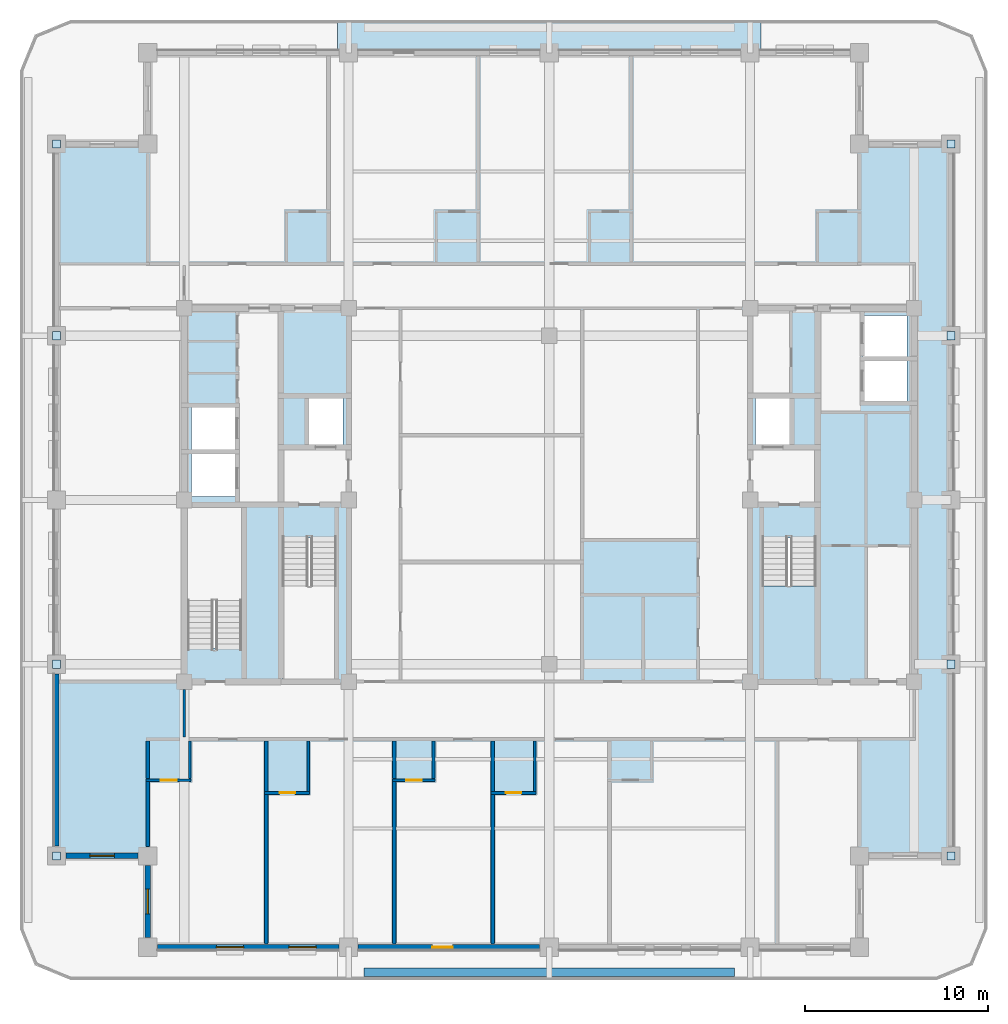
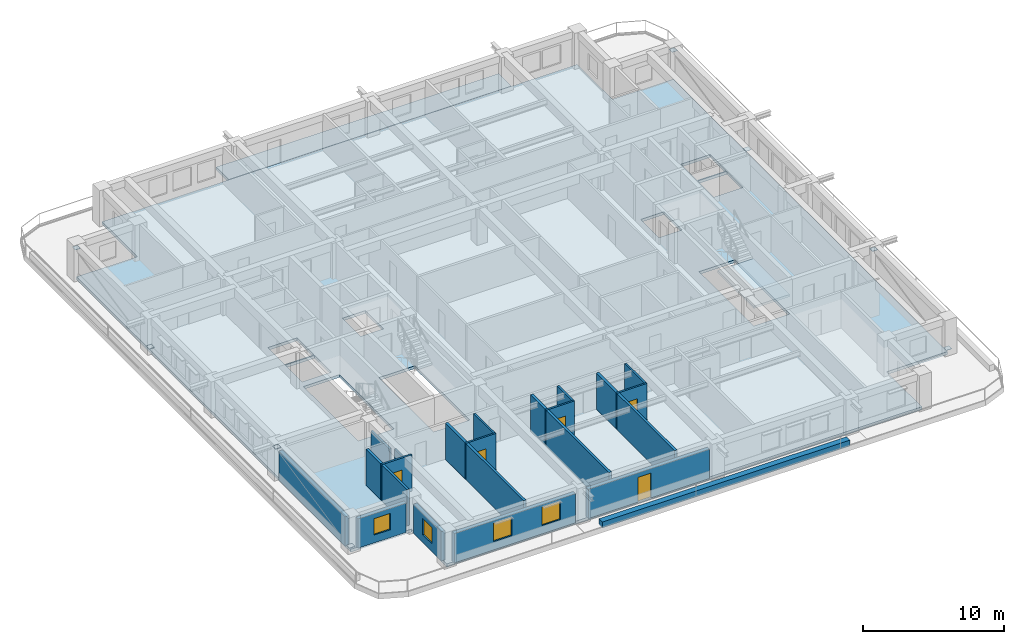
# One storey, part 2 of 15: 23 walls, 8 plates, 5 doors, 4 windows, 3 slabs, 9 openings, 1 element without a shape of its own.
"""IFC4 building model written with IfcOpenShell, lengths in metres."""

from ifc_helpers import new_model, si_unit, direction, frame, frame_2d, origin, origin_2d, place, context, subcontext, project, spatial, polyline, rectangle, outline, extrude, material, layer, layer_set, type_object, element, fill, aggregate, save


model = new_model("IFC4")

# Units and contexts
model_context = context("Model", 3, precision=1e-05, world=origin(), true_north=direction((0.0, 1.0)))
body_context = subcontext(model_context, "Body", "Model", "MODEL_VIEW")
ifc_project = project(units=[si_unit("LENGTHUNIT", "METRE"), si_unit("AREAUNIT", "SQUARE_METRE"), si_unit("VOLUMEUNIT", "CUBIC_METRE"), si_unit("PLANEANGLEUNIT", "RADIAN"), si_unit("MASSUNIT", "GRAM", prefix="KILO")], contexts=[model_context])

# Site, building, storey
site_placement = place(None, origin())
site = spatial("IfcSite", under=ifc_project, at=site_placement, CompositionType="ELEMENT")
building_placement = place(site_placement, origin())
building = spatial("IfcBuilding", under=site, at=building_placement, Name="Zulmaris Gate Convention Tower", CompositionType="ELEMENT")
storey_placement = place(building_placement, frame((0.0, 0.0, 201.659912109375)))
storey = spatial("IfcBuildingStorey", under=building, at=storey_placement, Name="L52", CompositionType="ELEMENT", Elevation=201.659912109375)

# Plates
ifc_material_1 = material(Name="Steel S460", Category="steel")
ifc_layer_1 = layer(ifc_material_1, 0.02490234375, Name="Steel S460")
ifc_layer_set_1 = layer_set([ifc_layer_1], Name="Steel S460")
plate_type = type_object("IfcPlateType", Name="NP-CAP-440", PredefinedType="USERDEFINED", material=ifc_layer_set_1)
for number, where, z_axis, x_axis, name in (
    (1, (-27.0, -19.5, 0.28759765625), (0.0, 0.0, 1.0), (1.0, 0.0, 0.0), "L52 Steel Node Plate PBR-L52-SW-W-CAP"),
    (2, (-27.0, -9.0, 2.517822265625), (0.0, 0.0, 1.0), (1.0, 0.0, 0.0), "L52 Steel Node Plate PBR-L52-SW-W-CAPB"),
    (3, (-27.0, 9.0, 0.28759765625), (0.0, 0.0, 1.0), (1.0, 0.0, 0.0), "L52 Steel Node Plate PBR-L52-NW-W-CAP"),
    (4, (-27.0, 19.5, 2.517822265625), (0.0, 0.0, 1.0), (1.0, 0.0, 0.0), "L52 Steel Node Plate PBR-L52-NW-W-CAPB"),
    (5, (22.0, -19.5, 0.28759765625), (0.0, 0.0, 1.0), (1.0, 0.0, 0.0), "L52 Steel Node Plate PBR-L52-SE-E-CAP"),
    (6, (22.0, -9.0, 2.517822265625), (0.0, 0.0, 1.0), (1.0, 0.0, 0.0), "L52 Steel Node Plate PBR-L52-SE-E-CAPB"),
    (7, (22.0, 9.0, 0.28759765625), (0.0, 0.0, 1.0), (1.0, 0.0, 0.0), "L52 Steel Node Plate PBR-L52-NE-E-CAP"),
    (8, (22.0, 19.5, 2.517822265625), (0.0, 0.0, 1.0), (1.0, 0.0, 0.0), "L52 Steel Node Plate PBR-L52-NE-E-CAPB"),
):
    element("IfcPlate", number, at=place(storey_placement, frame(where, z_axis=z_axis, x_axis=x_axis)), inside=storey, type_object=plate_type, Name=name, ObjectType="FLANGE PLATE", PredefinedType="USERDEFINED", context=body_context, shape_type="SweptSolid", body=[
        extrude(rectangle(XDim=0.43994140625, YDim=0.43994140625, at=origin_2d()), origin(), (0.0, 0.0, 1.0), 0.02490234375),
    ])

# Slabs
ifc_material_2 = material(Name="Precast concrete C50/60", Category="concrete")
ifc_layer_2 = layer(ifc_material_2, 0.260009765625, Name="Precast concrete C50/60")
ifc_layer_set_2 = layer_set([ifc_layer_2], Name="Precast concrete C50/60")
slab_type_1 = type_object("IfcSlabType", Name="SL-BAL-260", PredefinedType="FLOOR", material=ifc_layer_set_2)
slab_1_placement = place(storey_placement, frame((0.0, 0.0, -0.25)))
element("IfcSlab", 9, at=slab_1_placement, inside=storey, type_object=slab_type_1, Name="L52 North Tree-Balcony Planter Slab", PredefinedType="FLOOR", context=body_context, shape_type="SweptSolid", body=[
    extrude(outline(polyline([(11.597900390625, 26.300048828125), (11.597900390625, 24.5), (-11.597900390625, 24.5), (-11.597900390625, 26.300048828125), (11.597900390625, 26.300048828125)])), origin(), (0.0, 0.0, 1.0), 0.260009765625),
])
ifc_material_3 = material(Name="Concrete C50/60", Category="concrete")
ifc_layer_3 = layer(ifc_material_3, 0.25, Name="Concrete C50/60")
ifc_layer_set_3 = layer_set([ifc_layer_3], Name="Concrete C50/60")
slab_type_2 = type_object("IfcSlabType", Name="SL-FLR-250", PredefinedType="FLOOR", material=ifc_layer_set_3)
slab_2_placement = place(storey_placement, frame((0.0, 0.0, -0.25)))
element("IfcSlab", 10, at=slab_2_placement, inside=storey, type_object=slab_type_2, Name="L52 Shifted Notched-Square Structural Floor Slab", PredefinedType="FLOOR", context=body_context, shape_type="SweptSolid", body=[
    extrude(outline(polyline([(-22.0, -24.5), (17.0, -24.5), (17.0, -19.5), (22.0, -19.5), (22.0, 19.5), (17.0, 19.5), (17.0, 24.5), (-22.0, 24.5), (-22.0, 19.5), (-27.0, 19.5), (-27.0, -19.5), (-22.0, -19.5), (-22.0, -24.5)]), holes=[polyline([(-14.6201171875, -2.080078125), (-14.6201171875, -9.85009765625), (-11.659912109375, -9.85009765625), (-11.659912109375, -2.080078125), (-14.6201171875, -2.080078125)]), polyline([(11.659912109375, -2.080078125), (11.659912109375, -9.85009765625), (14.6201171875, -9.85009765625), (14.6201171875, -2.080078125), (11.659912109375, -2.080078125)]), polyline([(-16.860107421875, -8.1201171875), (-16.860107421875, -0.35009765625), (-19.820068359375, -0.35009765625), (-19.820068359375, -8.1201171875), (-16.860107421875, -8.1201171875)]), polyline([(-13.199951171875, 3.0), (-11.300048828125, 3.0), (-11.300048828125, 5.60009765625), (-13.199951171875, 5.60009765625), (-13.199951171875, 3.0)]), polyline([(11.300048828125, 3.0), (13.199951171875, 3.0), (13.199951171875, 5.60009765625), (11.300048828125, 5.60009765625), (11.300048828125, 3.0)]), polyline([(17.199951171875, 5.39990234375), (19.60009765625, 5.39990234375), (19.60009765625, 7.699951171875), (17.199951171875, 7.699951171875), (17.199951171875, 5.39990234375)]), polyline([(17.199951171875, 7.800048828125), (19.60009765625, 7.800048828125), (19.60009765625, 10.10009765625), (17.199951171875, 10.10009765625), (17.199951171875, 7.800048828125)]), polyline([(-19.60009765625, 0.199951171875), (-17.199951171875, 0.199951171875), (-17.199951171875, 2.60009765625), (-19.60009765625, 2.60009765625), (-19.60009765625, 0.199951171875)]), polyline([(-19.60009765625, 2.699951171875), (-17.199951171875, 2.699951171875), (-17.199951171875, 5.10009765625), (-19.60009765625, 5.10009765625), (-19.60009765625, 2.699951171875)])]), origin(), (0.0, 0.0, 1.0), 0.25),
])

# Stair, slab
ifc_material_4 = material(Name="Concrete C45/55", Category="concrete")
stair_type = type_object("IfcStairType", Name="ST-CORE-DOGLEG", PredefinedType="HALF_TURN_STAIR", material=ifc_material_4)
stair_placement = place(storey_placement, origin())
stair = element("IfcStair", 11, at=stair_placement, inside=storey, type_object=stair_type, Name="L52 Core Exit Stair ST-2", PredefinedType="HALF_TURN_STAIR")
ifc_layer_4 = layer(ifc_material_4, 0.199951171875, Name="Concrete C45/55")
ifc_layer_set_4 = layer_set([ifc_layer_4], Name="Concrete C45/55")
slab_type_3 = type_object("IfcSlabType", Name="SL-LND-200", PredefinedType="LANDING", material=ifc_layer_set_4)
slab_3_placement = place(storey_placement, frame((0.0, 0.0, 1.5)))
slab_3 = element("IfcSlab", 12, at=slab_3_placement, type_object=slab_type_3, Name="ST-2 landing 1", PredefinedType="LANDING", context=body_context, shape_type="SweptSolid", body=[
    extrude(outline(polyline([(11.659912109375, -4.699951171875), (11.659912109375, -9.85009765625), (14.6201171875, -9.85009765625), (14.6201171875, -4.699951171875), (11.659912109375, -4.699951171875)])), origin(), (0.0, 0.0, 1.0), 0.2001953125),
])
aggregate(stair, [slab_3])

# Wall, opening, door
ifc_material_5 = material(Name="Gypsum Metal Stud Partition")
ifc_layer_5 = layer(ifc_material_5, 0.14990234375, Name="Gypsum Metal Stud Partition")
ifc_layer_set_5 = layer_set([ifc_layer_5], Name="Gypsum Metal Stud Partition")
wall_type_1 = type_object("IfcWallType", Name="PART-150", PredefinedType="PARTITIONING", material=ifc_layer_set_5)
wall_1_placement = place(storey_placement, frame((-15.60009765625, -16.050048828125, 0.0), z_axis=(0.0, 0.0, 1.0), x_axis=(1.0, 0.0, 0.0)))
wall_1 = element("IfcWall", 13, at=wall_1_placement, inside=storey, type_object=wall_type_1, Name="WL-L52-019", PredefinedType="PARTITIONING", context=body_context, shape_type="SweptSolid", body=[
    extrude(rectangle(XDim=2.47509765625, YDim=0.14990234375, at=frame_2d((1.237548828125, 0.0))), origin(), (0.0, 0.0, 1.0), 3.150146484375),
])
opening_1_placement = place(wall_1_placement, frame((0.824951171875, 0.0, 0.0)))
opening_1 = element("IfcOpeningElement", 14, at=opening_1_placement, cuts=wall_1, Name="Opening D-17", PredefinedType="OPENING", context=body_context, shape_type="SweptSolid", body=[
    extrude(rectangle(XDim=0.85009765625, YDim=2.10009765625, at=frame_2d((0.425048828125, 1.050048828125))), frame((0.0, 0.0849609375, 0.0), z_axis=(0.0, -1.0, 0.0), x_axis=(1.0, 0.0, 0.0)), (0.0, 0.0, 1.0), 0.169921875),
])
ifc_material_6 = material(Name="Moisture-Resistant Hardwood Timber", Category="wood")
door_type_1 = type_object("IfcDoorType", Name="DR-850", OperationType="NOTDEFINED", PredefinedType="DOOR", material=ifc_material_6)
door_1_placement = place(opening_1_placement, origin())
door_1 = element("IfcDoor", 15, at=door_1_placement, inside=storey, type_object=door_type_1, Name="L52 En-Suite Door 39", OperationType="SINGLE_SWING_LEFT", OverallHeight=2.10009765625, OverallWidth=0.85009765625, PredefinedType="DOOR", context=body_context, shape_type="SweptSolid", body=[
    extrude(rectangle(XDim=0.85009765625, YDim=2.10009765625, at=frame_2d((0.425048828125, 1.050048828125))), frame((0.0, 0.02490234375, 0.0), z_axis=(0.0, -1.0, 0.0), x_axis=(1.0, 0.0, 0.0)), (0.0, 0.0, 1.0), 0.050048828125),
])
fill(opening_1, door_1)

wall_2_placement = place(storey_placement, frame((-3.199951171875, -16.050048828125, 0.0), z_axis=(0.0, 0.0, 1.0), x_axis=(1.0, 0.0, 0.0)))
wall_2 = element("IfcWall", 16, at=wall_2_placement, inside=storey, type_object=wall_type_1, Name="WL-L52-020", PredefinedType="PARTITIONING", context=body_context, shape_type="SweptSolid", body=[
    extrude(rectangle(XDim=2.474853515625, YDim=0.14990234375, at=frame_2d((1.2373046875, 0.0))), origin(), (0.0, 0.0, 1.0), 3.150146484375),
])
opening_2_placement = place(wall_2_placement, frame((0.824951171875, 0.0, 0.0)))
opening_2 = element("IfcOpeningElement", 17, at=opening_2_placement, cuts=wall_2, Name="Opening D-17", PredefinedType="OPENING", context=body_context, shape_type="SweptSolid", body=[
    extrude(rectangle(XDim=0.85009765625, YDim=2.10009765625, at=frame_2d((0.425048828125, 1.050048828125))), frame((0.0, 0.0849609375, 0.0), z_axis=(0.0, -1.0, 0.0), x_axis=(1.0, 0.0, 0.0)), (0.0, 0.0, 1.0), 0.169921875),
])
door_2_placement = place(opening_2_placement, origin())
door_2 = element("IfcDoor", 18, at=door_2_placement, inside=storey, type_object=door_type_1, Name="L52 En-Suite Door 43", OperationType="SINGLE_SWING_LEFT", OverallHeight=2.10009765625, OverallWidth=0.85009765625, PredefinedType="DOOR", context=body_context, shape_type="SweptSolid", body=[
    extrude(rectangle(XDim=0.85009765625, YDim=2.10009765625, at=frame_2d((0.425048828125, 1.050048828125))), frame((0.0, 0.02490234375, 0.0), z_axis=(0.0, -1.0, 0.0), x_axis=(1.0, 0.0, 0.0)), (0.0, 0.0, 1.0), 0.050048828125),
])
fill(opening_2, door_2)

wall_3_placement = place(storey_placement, frame((-22.10009765625, -15.35009765625, 0.0), z_axis=(0.0, 0.0, 1.0), x_axis=(1.0, 0.0, 0.0)))
wall_3 = element("IfcWall", 19, at=wall_3_placement, inside=storey, type_object=wall_type_1, Name="WL-L52-021", PredefinedType="PARTITIONING", context=body_context, shape_type="SweptSolid", body=[
    extrude(rectangle(XDim=2.47509765625, YDim=0.14990234375, at=frame_2d((1.237548828125, 0.0))), origin(), (0.0, 0.0, 1.0), 3.150146484375),
])
opening_3_placement = place(wall_3_placement, frame((0.824951171875, 0.0, 0.0)))
opening_3 = element("IfcOpeningElement", 20, at=opening_3_placement, cuts=wall_3, Name="Opening D-17", PredefinedType="OPENING", context=body_context, shape_type="SweptSolid", body=[
    extrude(rectangle(XDim=0.85009765625, YDim=2.10009765625, at=frame_2d((0.425048828125, 1.050048828125))), frame((0.0, 0.0849609375, 0.0), z_axis=(0.0, -1.0, 0.0), x_axis=(1.0, 0.0, 0.0)), (0.0, 0.0, 1.0), 0.169921875),
])
door_3_placement = place(opening_3_placement, origin())
door_3 = element("IfcDoor", 21, at=door_3_placement, inside=storey, type_object=door_type_1, Name="L52 En-Suite Door 37", OperationType="SINGLE_SWING_LEFT", OverallHeight=2.10009765625, OverallWidth=0.85009765625, PredefinedType="DOOR", context=body_context, shape_type="SweptSolid", body=[
    extrude(rectangle(XDim=0.85009765625, YDim=2.10009765625, at=frame_2d((0.425048828125, 1.050048828125))), frame((0.0, 0.02490234375, 0.0), z_axis=(0.0, -1.0, 0.0), x_axis=(1.0, 0.0, 0.0)), (0.0, 0.0, 1.0), 0.050048828125),
])
fill(opening_3, door_3)

wall_4_placement = place(storey_placement, frame((-8.60009765625, -15.35009765625, 0.0), z_axis=(0.0, 0.0, 1.0), x_axis=(1.0, 0.0, 0.0)))
wall_4 = element("IfcWall", 22, at=wall_4_placement, inside=storey, type_object=wall_type_1, Name="WL-L52-022", PredefinedType="PARTITIONING", context=body_context, shape_type="SweptSolid", body=[
    extrude(rectangle(XDim=2.335205078125, YDim=0.14990234375, at=frame_2d((1.16748046875, 0.0))), origin(), (0.0, 0.0, 1.0), 3.150146484375),
])
opening_4_placement = place(wall_4_placement, frame((0.7548828125, 0.0, 0.0)))
opening_4 = element("IfcOpeningElement", 23, at=opening_4_placement, cuts=wall_4, Name="Opening D-17", PredefinedType="OPENING", context=body_context, shape_type="SweptSolid", body=[
    extrude(rectangle(XDim=0.85009765625, YDim=2.10009765625, at=frame_2d((0.425048828125, 1.050048828125))), frame((0.0, 0.0849609375, 0.0), z_axis=(0.0, -1.0, 0.0), x_axis=(1.0, 0.0, 0.0)), (0.0, 0.0, 1.0), 0.169921875),
])
door_4_placement = place(opening_4_placement, origin())
door_4 = element("IfcDoor", 24, at=door_4_placement, inside=storey, type_object=door_type_1, Name="L52 En-Suite Door 41", OperationType="SINGLE_SWING_LEFT", OverallHeight=2.10009765625, OverallWidth=0.85009765625, PredefinedType="DOOR", context=body_context, shape_type="SweptSolid", body=[
    extrude(rectangle(XDim=0.85009765625, YDim=2.10009765625, at=frame_2d((0.425048828125, 1.050048828125))), frame((0.0, 0.02490234375, 0.0), z_axis=(0.0, -1.0, 0.0), x_axis=(1.0, 0.0, 0.0)), (0.0, 0.0, 1.0), 0.050048828125),
])
fill(opening_4, door_4)

# Walls
wall_5_placement = place(storey_placement, frame((-20.0, -12.9970703125, 0.0), z_axis=(0.0, 0.0, 1.0), x_axis=(0.0, 1.0, 0.0)))
element("IfcWall", 25, at=wall_5_placement, inside=storey, type_object=wall_type_1, Name="WL-L52-080", PredefinedType="PARTITIONING", context=body_context, shape_type="SweptSolid", body=[
    extrude(rectangle(XDim=2.615966796875, YDim=0.14990234375, at=frame_2d((1.30810546875, 0.0))), origin(), (0.0, 0.0, 1.0), 2.34228515625),
])
wall_6_placement = place(storey_placement, frame((-19.699951171875, -15.27197265625, 0.0), z_axis=(0.0, 0.0, 1.0), x_axis=(0.0, 1.0, 0.0)))
element("IfcWall", 26, at=wall_6_placement, inside=storey, type_object=wall_type_1, Name="WL-L52-082", PredefinedType="PARTITIONING", context=body_context, shape_type="SweptSolid", body=[
    extrude(rectangle(XDim=2.069091796875, YDim=0.14990234375, at=frame_2d((1.03466796875, 0.0))), origin(), (0.0, 0.0, 1.0), 2.34228515625),
])
wall_7_placement = place(storey_placement, frame((-13.199951171875, -15.971923828125, 0.0), z_axis=(0.0, 0.0, 1.0), x_axis=(0.0, 1.0, 0.0)))
element("IfcWall", 27, at=wall_7_placement, inside=storey, type_object=wall_type_1, Name="WL-L52-089", PredefinedType="PARTITIONING", context=body_context, shape_type="SweptSolid", body=[
    extrude(rectangle(XDim=2.76904296875, YDim=0.14990234375, at=frame_2d((1.384521484375, 0.0))), origin(), (0.0, 0.0, 1.0), 3.150146484375),
])
wall_8_placement = place(storey_placement, frame((-6.340087890625, -15.27197265625, 0.0), z_axis=(0.0, 0.0, 1.0), x_axis=(0.0, 1.0, 0.0)))
element("IfcWall", 28, at=wall_8_placement, inside=storey, type_object=wall_type_1, Name="WL-L52-097", PredefinedType="PARTITIONING", context=body_context, shape_type="SweptSolid", body=[
    extrude(rectangle(XDim=2.069091796875, YDim=0.14990234375, at=frame_2d((1.03466796875, 0.0))), origin(), (0.0, 0.0, 1.0), 3.150146484375),
])
wall_9_placement = place(storey_placement, frame((-0.800048828125, -15.971923828125, 0.0), z_axis=(0.0, 0.0, 1.0), x_axis=(0.0, 1.0, 0.0)))
element("IfcWall", 29, at=wall_9_placement, inside=storey, type_object=wall_type_1, Name="WL-L52-103", PredefinedType="PARTITIONING", context=body_context, shape_type="SweptSolid", body=[
    extrude(rectangle(XDim=2.76904296875, YDim=0.14990234375, at=frame_2d((1.384521484375, 0.0))), origin(), (0.0, 0.0, 1.0), 3.150146484375),
])
ifc_material_7 = material(Name="Autoclaved Aerated Concrete Block and Plasterboard", Category="concrete")
ifc_layer_6 = layer(ifc_material_7, 0.199951171875, Name="Autoclaved Aerated Concrete Block and Plasterboard")
ifc_layer_set_6 = layer_set([ifc_layer_6], Name="Autoclaved Aerated Concrete Block and Plasterboard")
wall_type_2 = type_object("IfcWallType", Name="PART-200", PredefinedType="PARTITIONING", material=ifc_layer_set_6)
wall_10_placement = place(storey_placement, frame((-22.0, -18.993896484375, 0.0), z_axis=(0.0, 0.0, 1.0), x_axis=(0.0, 1.0, 0.0)))
element("IfcWall", 30, at=wall_10_placement, inside=storey, type_object=wall_type_2, Name="WL-L52-077", PredefinedType="PARTITIONING", context=body_context, shape_type="SweptSolid", body=[
    extrude(rectangle(XDim=3.56591796875, YDim=0.199951171875, at=frame_2d((1.782958984375, 0.0))), origin(), (0.0, 0.0, 1.0), 3.150146484375),
])
wall_11_placement = place(storey_placement, frame((-22.0, -15.27197265625, 0.0), z_axis=(0.0, 0.0, 1.0), x_axis=(0.0, 1.0, 0.0)))
element("IfcWall", 31, at=wall_11_placement, inside=storey, type_object=wall_type_2, Name="WL-L52-078", PredefinedType="PARTITIONING", context=body_context, shape_type="SweptSolid", body=[
    extrude(rectangle(XDim=2.069091796875, YDim=0.199951171875, at=frame_2d((1.03466796875, 0.0))), origin(), (0.0, 0.0, 1.0), 3.150146484375),
])
wall_12_placement = place(storey_placement, frame((-15.5, -24.3349609375, 0.0), z_axis=(0.0, 0.0, 1.0), x_axis=(0.0, 1.0, 0.0)))
element("IfcWall", 32, at=wall_12_placement, inside=storey, type_object=wall_type_2, Name="WL-L52-086", PredefinedType="PARTITIONING", context=body_context, shape_type="SweptSolid", body=[
    extrude(rectangle(XDim=8.20703125, YDim=0.199951171875, at=frame_2d((4.103515625, 0.0))), origin(), (0.0, 0.0, 1.0), 3.150146484375),
])
wall_13_placement = place(storey_placement, frame((-15.5, -15.971923828125, 0.0), z_axis=(0.0, 0.0, 1.0), x_axis=(0.0, 1.0, 0.0)))
element("IfcWall", 33, at=wall_13_placement, inside=storey, type_object=wall_type_2, Name="WL-L52-087", PredefinedType="PARTITIONING", context=body_context, shape_type="SweptSolid", body=[
    extrude(rectangle(XDim=2.76904296875, YDim=0.199951171875, at=frame_2d((1.384521484375, 0.0))), origin(), (0.0, 0.0, 1.0), 3.150146484375),
])
wall_14_placement = place(storey_placement, frame((-8.5, -24.3349609375, 0.0), z_axis=(0.0, 0.0, 1.0), x_axis=(0.0, 1.0, 0.0)))
element("IfcWall", 34, at=wall_14_placement, inside=storey, type_object=wall_type_2, Name="WL-L52-092", PredefinedType="PARTITIONING", context=body_context, shape_type="SweptSolid", body=[
    extrude(rectangle(XDim=8.906982421875, YDim=0.199951171875, at=frame_2d((4.45361328125, 0.0))), origin(), (0.0, 0.0, 1.0), 3.150146484375),
])
wall_15_placement = place(storey_placement, frame((-8.5, -15.27197265625, 0.0), z_axis=(0.0, 0.0, 1.0), x_axis=(0.0, 1.0, 0.0)))
element("IfcWall", 35, at=wall_15_placement, inside=storey, type_object=wall_type_2, Name="WL-L52-093", PredefinedType="PARTITIONING", context=body_context, shape_type="SweptSolid", body=[
    extrude(rectangle(XDim=2.069091796875, YDim=0.199951171875, at=frame_2d((1.03466796875, 0.0))), origin(), (0.0, 0.0, 1.0), 3.150146484375),
])
wall_16_placement = place(storey_placement, frame((-3.10009765625, -24.3349609375, 0.0), z_axis=(0.0, 0.0, 1.0), x_axis=(0.0, 1.0, 0.0)))
element("IfcWall", 36, at=wall_16_placement, inside=storey, type_object=wall_type_2, Name="WL-L52-101", PredefinedType="PARTITIONING", context=body_context, shape_type="SweptSolid", body=[
    extrude(rectangle(XDim=8.20703125, YDim=0.199951171875, at=frame_2d((4.103515625, 0.0))), origin(), (0.0, 0.0, 1.0), 3.150146484375),
])
wall_17_placement = place(storey_placement, frame((-3.10009765625, -15.971923828125, 0.0), z_axis=(0.0, 0.0, 1.0), x_axis=(0.0, 1.0, 0.0)))
element("IfcWall", 37, at=wall_17_placement, inside=storey, type_object=wall_type_2, Name="WL-L52-102", PredefinedType="PARTITIONING", context=body_context, shape_type="SweptSolid", body=[
    extrude(rectangle(XDim=2.76904296875, YDim=0.199951171875, at=frame_2d((1.384521484375, 0.0))), origin(), (0.0, 0.0, 1.0), 3.150146484375),
])
ifc_material_8 = material(Name="Botanical Green Glazed Precast Concrete C40/50", Category="concrete")
ifc_layer_7 = layer(ifc_material_8, 0.419921875, Name="Botanical Green Glazed Precast Concrete C40/50")
ifc_layer_set_7 = layer_set([ifc_layer_7], Name="Botanical Green Glazed Precast Concrete C40/50")
wall_type_3 = type_object("IfcWallType", Name="PLANTER-CURB-200", PredefinedType="PARAPET", material=ifc_layer_set_7)
wall_18_placement = place(storey_placement, frame((-10.14990234375, -25.8798828125, -0.0400390625), z_axis=(0.0, 0.0, 1.0), x_axis=(1.0, 0.0, 0.0)))
element("IfcWall", 38, at=wall_18_placement, inside=storey, type_object=wall_type_3, Name="L52 Full-Length Balcony Tree Planter Trough", PredefinedType="PARAPET", context=body_context, shape_type="SweptSolid", body=[
    extrude(rectangle(XDim=20.2998046875, YDim=0.47998046875, at=frame_2d((10.14990234375, 0.0))), origin(), (0.0, 0.0, 1.0), 0.52001953125),
])

# Wall, opening, window
ifc_material_9 = material(Name="Precast concrete C40/50", Category="concrete")
ifc_layer_8 = layer(ifc_material_9, 0.300048828125, Name="Precast concrete C40/50")
ifc_layer_set_8 = layer_set([ifc_layer_8], Name="Precast concrete C40/50")
wall_type_4 = type_object("IfcWallType", Name="PRECAST-PIER-300", PredefinedType="STANDARD", material=ifc_layer_set_8)
wall_19_placement = place(storey_placement, frame((-26.469970703125, -19.5, 0.0), z_axis=(0.0, 0.0, 1.0), x_axis=(1.0, 0.0, 0.0)))
wall_19 = element("IfcWall", 39, at=wall_19_placement, inside=storey, type_object=wall_type_4, Name="EW-L52-NOTCH-SW1_0", PredefinedType="STANDARD", context=body_context, shape_type="SweptSolid", body=[
    extrude(rectangle(XDim=3.93994140625, YDim=0.300048828125, at=frame_2d((1.969970703125, 0.0))), origin(), (0.0, 0.0, 1.0), 2.542236328125),
])
opening_5_placement = place(wall_19_placement, frame((1.294921875, 0.0, 0.679931640625)))
opening_5 = element("IfcOpeningElement", 40, at=opening_5_placement, cuts=wall_19, Name="Opening W-10", PredefinedType="OPENING", context=body_context, shape_type="SweptSolid", body=[
    extrude(rectangle(XDim=1.35009765625, YDim=1.419921875, at=frame_2d((0.675048828125, 0.7099609375))), frame((0.0, 0.16015625, 0.0), z_axis=(0.0, -1.0, 0.0), x_axis=(1.0, 0.0, 0.0)), (0.0, 0.0, 1.0), 0.320068359375),
])
ifc_material_10 = material(Name="Low-E Laminated Double Glazing in Aluminium Frame", Category="aluminium")
window_type_1 = type_object("IfcWindowType", Name="WIN-1350x2000", PartitioningType="SINGLE_PANEL", PredefinedType="WINDOW", material=ifc_material_10)
window_1_placement = place(opening_5_placement, origin())
window_1 = element("IfcWindow", 41, at=window_1_placement, inside=storey, type_object=window_type_1, Name="WN-EW-L52-NOTCH-SW1_0", OverallHeight=1.419921875, OverallWidth=1.35009765625, PartitioningType="SINGLE_PANEL", PredefinedType="WINDOW", context=body_context, shape_type="SweptSolid", body=[
    extrude(rectangle(XDim=1.35009765625, YDim=1.419921875, at=frame_2d((0.675048828125, 0.7099609375))), frame((0.0, 0.030029296875, 0.0), z_axis=(0.0, -1.0, 0.0), x_axis=(1.0, 0.0, 0.0)), (0.0, 0.0, 1.0), 0.06005859375),
])
fill(opening_5, window_1)

wall_20_placement = place(storey_placement, frame((-22.0, -20.030029296875, 0.0), z_axis=(0.0, 0.0, 1.0), x_axis=(0.0, -1.0, 0.0)))
wall_20 = element("IfcWall", 42, at=wall_20_placement, inside=storey, type_object=wall_type_4, Name="EW-L52-NOTCH-SW2_0", PredefinedType="STANDARD", context=body_context, shape_type="SweptSolid", body=[
    extrude(rectangle(XDim=3.93994140625, YDim=0.300048828125, at=frame_2d((1.969970703125, 0.0))), origin(), (0.0, 0.0, 1.0), 2.542236328125),
])
opening_6_placement = place(wall_20_placement, frame((1.294921875, 0.0, 0.679931640625)))
opening_6 = element("IfcOpeningElement", 43, at=opening_6_placement, cuts=wall_20, Name="Opening W-10", PredefinedType="OPENING", context=body_context, shape_type="SweptSolid", body=[
    extrude(rectangle(XDim=1.35009765625, YDim=1.419921875, at=frame_2d((0.675048828125, 0.7099609375))), frame((0.0, 0.16015625, 0.0), z_axis=(0.0, -1.0, 0.0), x_axis=(1.0, 0.0, 0.0)), (0.0, 0.0, 1.0), 0.320068359375),
])
window_2_placement = place(opening_6_placement, origin())
window_2 = element("IfcWindow", 44, at=window_2_placement, inside=storey, type_object=window_type_1, Name="WN-EW-L52-NOTCH-SW2_0", OverallHeight=1.419921875, OverallWidth=1.35009765625, PartitioningType="SINGLE_PANEL", PredefinedType="WINDOW", context=body_context, shape_type="SweptSolid", body=[
    extrude(rectangle(XDim=1.35009765625, YDim=1.419921875, at=frame_2d((0.675048828125, 0.7099609375))), frame((0.0, 0.030029296875, 0.0), z_axis=(0.0, -1.0, 0.0), x_axis=(1.0, 0.0, 0.0)), (0.0, 0.0, 1.0), 0.06005859375),
])
fill(opening_6, window_2)

# Wall, openings, windows
wall_21_placement = place(storey_placement, frame((-21.469970703125, -24.5, 0.0), z_axis=(0.0, 0.0, 1.0), x_axis=(1.0, 0.0, 0.0)))
wall_21 = element("IfcWall", 45, at=wall_21_placement, inside=storey, type_object=wall_type_4, Name="EW-L52-S-0_0", PredefinedType="STANDARD", context=body_context, shape_type="SweptSolid", body=[
    extrude(rectangle(XDim=9.93994140625, YDim=0.300048828125, at=frame_2d((4.969970703125, 0.0))), origin(), (0.0, 0.0, 1.0), 2.542236328125),
])
opening_7_placement = place(wall_21_placement, frame((3.22607421875, 0.0, 0.719970703125)))
opening_7 = element("IfcOpeningElement", 46, at=opening_7_placement, cuts=wall_21, Name="Opening W-03", PredefinedType="OPENING", context=body_context, shape_type="SweptSolid", body=[
    extrude(rectangle(XDim=1.5, YDim=1.60009765625, at=frame_2d((0.75, 0.800048828125))), frame((0.0, 0.16015625, 0.0), z_axis=(0.0, -1.0, 0.0), x_axis=(1.0, 0.0, 0.0)), (0.0, 0.0, 1.0), 0.320068359375),
])
opening_8_placement = place(wall_21_placement, frame((7.201904296875, 0.0, 0.719970703125)))
opening_8 = element("IfcOpeningElement", 47, at=opening_8_placement, cuts=wall_21, Name="Opening W-03", PredefinedType="OPENING", context=body_context, shape_type="SweptSolid", body=[
    extrude(rectangle(XDim=1.5, YDim=1.60009765625, at=frame_2d((0.75, 0.800048828125))), frame((0.0, 0.16015625, 0.0), z_axis=(0.0, -1.0, 0.0), x_axis=(1.0, 0.0, 0.0)), (0.0, 0.0, 1.0), 0.320068359375),
])
window_type_2 = type_object("IfcWindowType", Name="WIN-1500x2100", PartitioningType="SINGLE_PANEL", PredefinedType="WINDOW", material=ifc_material_10)
window_3_placement = place(opening_7_placement, origin())
window_3 = element("IfcWindow", 48, at=window_3_placement, inside=storey, type_object=window_type_2, Name="WN-EW-L52-S-0_0-2", OverallHeight=1.60009765625, OverallWidth=1.5, PartitioningType="SINGLE_PANEL", PredefinedType="WINDOW", context=body_context, shape_type="SweptSolid", body=[
    extrude(rectangle(XDim=1.5, YDim=1.60009765625, at=frame_2d((0.75, 0.800048828125))), frame((0.0, 0.030029296875, 0.0), z_axis=(0.0, -1.0, 0.0), x_axis=(1.0, 0.0, 0.0)), (0.0, 0.0, 1.0), 0.06005859375),
])
fill(opening_7, window_3)
window_4_placement = place(opening_8_placement, origin())
window_4 = element("IfcWindow", 49, at=window_4_placement, inside=storey, type_object=window_type_2, Name="WN-EW-L52-S-0_0-4", OverallHeight=1.60009765625, OverallWidth=1.5, PartitioningType="SINGLE_PANEL", PredefinedType="WINDOW", context=body_context, shape_type="SweptSolid", body=[
    extrude(rectangle(XDim=1.5, YDim=1.60009765625, at=frame_2d((0.75, 0.800048828125))), frame((0.0, 0.030029296875, 0.0), z_axis=(0.0, -1.0, 0.0), x_axis=(1.0, 0.0, 0.0)), (0.0, 0.0, 1.0), 0.06005859375),
])
fill(opening_8, window_4)

# Wall, opening, door
wall_22_placement = place(storey_placement, frame((-10.469970703125, -24.5, 0.0), z_axis=(0.0, 0.0, 1.0), x_axis=(1.0, 0.0, 0.0)))
wall_22 = element("IfcWall", 50, at=wall_22_placement, inside=storey, type_object=wall_type_4, Name="EW-L52-S-1_0", PredefinedType="STANDARD", context=body_context, shape_type="SweptSolid", body=[
    extrude(rectangle(XDim=9.93994140625, YDim=0.300048828125, at=frame_2d((4.969970703125, 0.0))), origin(), (0.0, 0.0, 1.0), 2.542236328125),
])
opening_9_placement = place(wall_22_placement, frame((4.068115234375, 0.0, 0.0)))
opening_9 = element("IfcOpeningElement", 51, at=opening_9_placement, cuts=wall_22, Name="Opening D-04", PredefinedType="OPENING", context=body_context, shape_type="SweptSolid", body=[
    extrude(rectangle(XDim=1.10009765625, YDim=2.14990234375, at=frame_2d((0.550048828125, 1.074951171875))), frame((0.0, 0.16015625, 0.0), z_axis=(0.0, -1.0, 0.0), x_axis=(1.0, 0.0, 0.0)), (0.0, 0.0, 1.0), 0.320068359375),
])
ifc_material_11 = material(Name="Anodised Aluminium and Laminated Glass", Category="aluminium")
door_type_2 = type_object("IfcDoorType", Name="ED-1100", OperationType="SINGLE_SWING_RIGHT", PredefinedType="DOOR", material=ifc_material_11)
door_5_placement = place(opening_9_placement, origin())
door_5 = element("IfcDoor", 52, at=door_5_placement, inside=storey, type_object=door_type_2, Name="L52 S Planted Terrace Door", OperationType="SINGLE_SWING_RIGHT", OverallHeight=2.14990234375, OverallWidth=1.10009765625, PredefinedType="DOOR", context=body_context, shape_type="SweptSolid", body=[
    extrude(rectangle(XDim=1.10009765625, YDim=2.14990234375, at=frame_2d((0.550048828125, 1.074951171875))), frame((0.0, 0.02490234375, 0.0), z_axis=(0.0, -1.0, 0.0), x_axis=(1.0, 0.0, 0.0)), (0.0, 0.0, 1.0), 0.050048828125),
])
fill(opening_9, door_5)

# Wall
wall_23_placement = place(storey_placement, frame((-27.0, -9.530029296875, 0.0), z_axis=(0.0, 0.0, 1.0), x_axis=(0.0, -1.0, 0.0)))
element("IfcWall", 53, at=wall_23_placement, inside=storey, type_object=wall_type_4, Name="EW-L52-W-0_0", PredefinedType="STANDARD", context=body_context, shape_type="SweptSolid", body=[
    extrude(rectangle(XDim=9.43994140625, YDim=0.300048828125, at=frame_2d((4.719970703125, 0.0))), origin(), (0.0, 0.0, 1.0), 2.542236328125),
])

save(model, "model.ifc")
